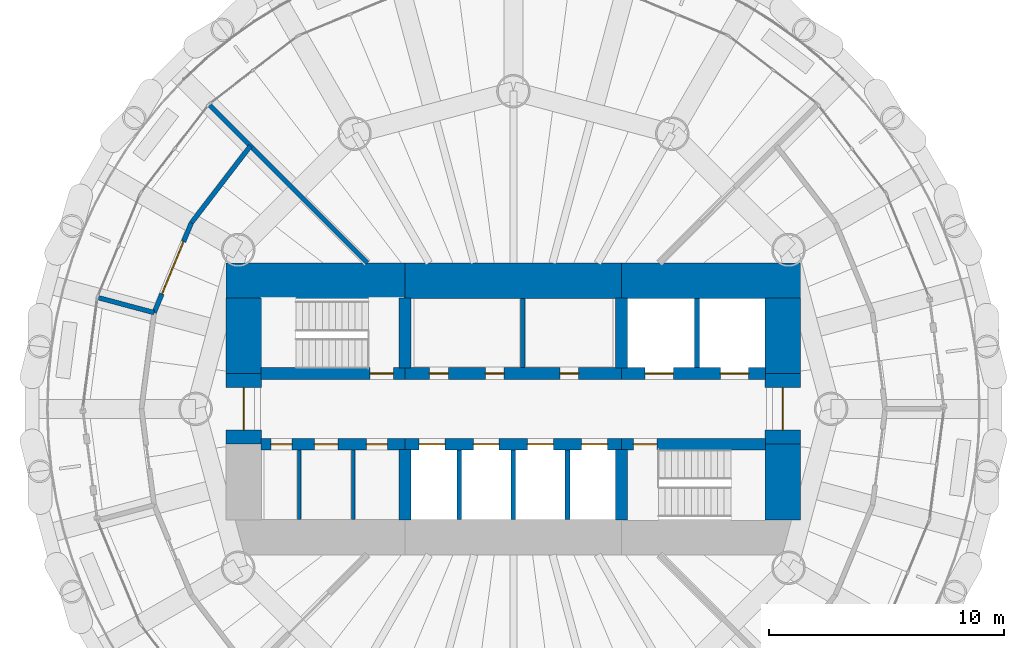
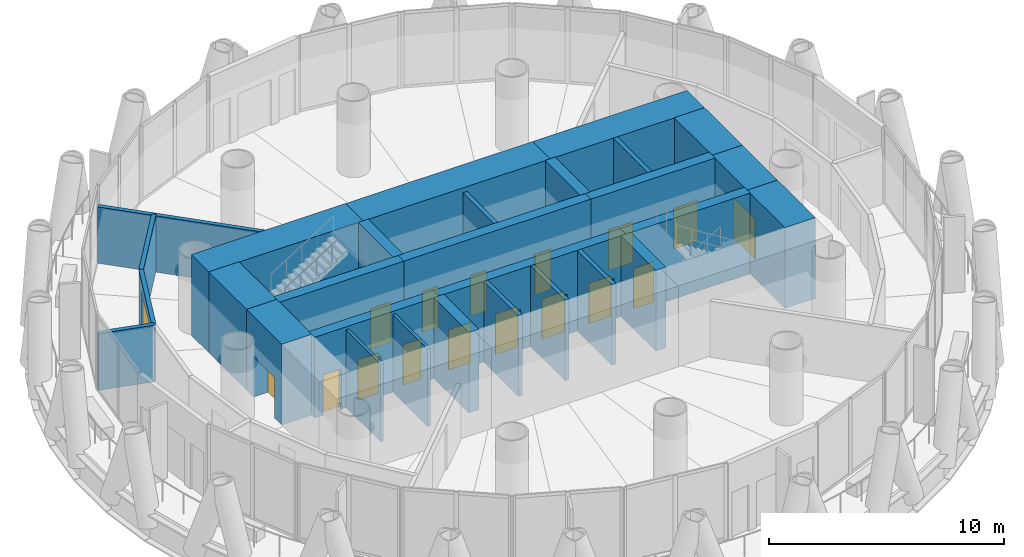
# One storey, part 9 of 13: 29 walls, 17 doors, 17 openings.
"""IFC4 building model written with IfcOpenShell, lengths in metres."""

from ifc_helpers import new_model, si_unit, direction, frame, frame_2d, origin, place, context, subcontext, project, spatial, rectangle, extrude, material, layer, layer_set, type_object, element, fill, save


model = new_model("IFC4")

# Units and contexts
model_context = context("Model", 3, precision=1e-05, world=origin(), true_north=direction((0.0, 1.0)))
body_context = subcontext(model_context, "Body", "Model", "MODEL_VIEW")
ifc_project = project(units=[si_unit("LENGTHUNIT", "METRE"), si_unit("AREAUNIT", "SQUARE_METRE"), si_unit("VOLUMEUNIT", "CUBIC_METRE"), si_unit("PLANEANGLEUNIT", "RADIAN"), si_unit("MASSUNIT", "GRAM", prefix="KILO")], contexts=[model_context])

# Site, building, storey
site_placement = place(None, origin())
site = spatial("IfcSite", under=ifc_project, at=site_placement, CompositionType="ELEMENT")
building_placement = place(site_placement, origin())
building = spatial("IfcBuilding", under=site, at=building_placement, Name="Qaws Media Tower", CompositionType="ELEMENT")
storey_placement = place(building_placement, frame((0.0, 0.0, 282.199951171875)))
storey = spatial("IfcBuildingStorey", under=building, at=storey_placement, Name="L65", CompositionType="ELEMENT", Elevation=282.199951171875)

# Wall, opening, door
ifc_material_1 = material(Name="Concrete C60/75", Category="concrete")
ifc_layer_1 = layer(ifc_material_1, 0.5)
ifc_layer_set_1 = layer_set([ifc_layer_1], Name="Core inner wall 500")
wall_type_1 = type_object("IfcWallType", Name="Core inner wall 500", PredefinedType="SHEAR", material=ifc_layer_set_1)
wall_1_placement = place(storey_placement, frame((49.280029296875, 51.5, 0.0), z_axis=(0.0, 0.0, 1.0), x_axis=(1.0, 0.0, 0.0)))
wall_1 = element("IfcWall", 1, at=wall_1_placement, inside=storey, type_object=wall_type_1, Name="W347 SW12 core wall SPNW L65", PredefinedType="SHEAR", context=body_context, shape_type="SweptSolid", body=[
    extrude(rectangle(XDim=6.119873046875, YDim=0.5, at=frame_2d((3.06005859375, 0.0))), origin(), (0.0, 0.0, 1.0), 4.199951171875),
])
opening_1_placement = place(wall_1_placement, frame((4.6201171875, 0.0, 0.0)))
opening_1 = element("IfcOpeningElement", 2, at=opening_1_placement, cuts=wall_1, Name="Opening D1", PredefinedType="OPENING", context=body_context, shape_type="SweptSolid", body=[
    extrude(rectangle(XDim=1.0, YDim=2.10009765625, at=frame_2d((0.5, 1.050048828125))), frame((0.0, 0.260009765625, 0.0), z_axis=(0.0, -1.0, 0.0), x_axis=(1.0, 0.0, 0.0)), (0.0, 0.0, 1.0), 0.52001953125),
])
ifc_material_2 = material(Name="Steel, fire rated", Category="steel")
door_type_1 = type_object("IfcDoorType", Name="Stair door 1000 FD120", OperationType="SINGLE_SWING_LEFT", PredefinedType="DOOR", material=ifc_material_2)
door_1_placement = place(opening_1_placement, origin())
door_1 = element("IfcDoor", 3, at=door_1_placement, inside=storey, type_object=door_type_1, Name="D1 stair S1 door L65 in wall W347", OperationType="SINGLE_SWING_LEFT", OverallHeight=2.10009765625, OverallWidth=1.0, PredefinedType="DOOR", context=body_context, shape_type="SweptSolid", body=[
    extrude(rectangle(XDim=1.0, YDim=2.10009765625, at=frame_2d((0.5, 1.050048828125))), frame((0.0, 0.02490234375, 0.0), z_axis=(0.0, -1.0, 0.0), x_axis=(1.0, 0.0, 0.0)), (0.0, 0.0, 1.0), 0.050048828125),
])
fill(opening_1, door_1)

# Wall, openings, doors
wall_2_placement = place(storey_placement, frame((55.39990234375, 51.5, 0.0), z_axis=(0.0, 0.0, 1.0), x_axis=(1.0, 0.0, 0.0)))
wall_2 = element("IfcWall", 4, at=wall_2_placement, inside=storey, type_object=wall_type_1, Name="W332 SW12 core wall SPN L65", PredefinedType="SHEAR", context=body_context, shape_type="SweptSolid", body=[
    extrude(rectangle(XDim=9.2001953125, YDim=0.5, at=frame_2d((4.60009765625, 0.0))), origin(), (0.0, 0.0, 1.0), 4.199951171875),
])
opening_2_placement = place(wall_2_placement, frame((1.036376953125, 0.0, 0.0)))
opening_2 = element("IfcOpeningElement", 5, at=opening_2_placement, cuts=wall_2, Name="Opening D23", PredefinedType="OPENING", context=body_context, shape_type="SweptSolid", body=[
    extrude(rectangle(XDim=0.800048828125, YDim=2.10009765625, at=frame_2d((0.39990234375, 1.050048828125))), frame((0.0, 0.260009765625, 0.0), z_axis=(0.0, -1.0, 0.0), x_axis=(1.0, 0.0, 0.0)), (0.0, 0.0, 1.0), 0.52001953125),
])
opening_3_placement = place(wall_2_placement, frame((3.4091796875, 0.0, 0.0)))
opening_3 = element("IfcOpeningElement", 6, at=opening_3_placement, cuts=wall_2, Name="Opening D23", PredefinedType="OPENING", context=body_context, shape_type="SweptSolid", body=[
    extrude(rectangle(XDim=0.800048828125, YDim=2.10009765625, at=frame_2d((0.39990234375, 1.050048828125))), frame((0.0, 0.260009765625, 0.0), z_axis=(0.0, -1.0, 0.0), x_axis=(1.0, 0.0, 0.0)), (0.0, 0.0, 1.0), 0.52001953125),
])
opening_4_placement = place(wall_2_placement, frame((6.57275390625, 0.0, 0.0)))
opening_4 = element("IfcOpeningElement", 7, at=opening_4_placement, cuts=wall_2, Name="Opening D23", PredefinedType="OPENING", context=body_context, shape_type="SweptSolid", body=[
    extrude(rectangle(XDim=0.800048828125, YDim=2.10009765625, at=frame_2d((0.39990234375, 1.050048828125))), frame((0.0, 0.260009765625, 0.0), z_axis=(0.0, -1.0, 0.0), x_axis=(1.0, 0.0, 0.0)), (0.0, 0.0, 1.0), 0.52001953125),
])
ifc_material_3 = material(Name="Steel, fire rated", Category="steel")
door_type_2 = type_object("IfcDoorType", Name="Core room door 800x2100", OperationType="SINGLE_SWING_LEFT", PredefinedType="DOOR", material=ifc_material_3)
door_2_placement = place(opening_2_placement, origin())
door_2 = element("IfcDoor", 8, at=door_2_placement, inside=storey, type_object=door_type_2, Name="D23 Ladies toilets door L65 1 in wall W332", OperationType="SINGLE_SWING_LEFT", OverallHeight=2.10009765625, OverallWidth=0.800048828125, PredefinedType="DOOR", context=body_context, shape_type="SweptSolid", body=[
    extrude(rectangle(XDim=0.800048828125, YDim=2.10009765625, at=frame_2d((0.39990234375, 1.050048828125))), frame((0.0, 0.02490234375, 0.0), z_axis=(0.0, -1.0, 0.0), x_axis=(1.0, 0.0, 0.0)), (0.0, 0.0, 1.0), 0.050048828125),
])
fill(opening_2, door_2)
door_3_placement = place(opening_3_placement, origin())
door_3 = element("IfcDoor", 9, at=door_3_placement, inside=storey, type_object=door_type_2, Name="D23 Ladies toilets door L65 2 in wall W332", OperationType="SINGLE_SWING_LEFT", OverallHeight=2.10009765625, OverallWidth=0.800048828125, PredefinedType="DOOR", context=body_context, shape_type="SweptSolid", body=[
    extrude(rectangle(XDim=0.800048828125, YDim=2.10009765625, at=frame_2d((0.39990234375, 1.050048828125))), frame((0.0, 0.02490234375, 0.0), z_axis=(0.0, -1.0, 0.0), x_axis=(1.0, 0.0, 0.0)), (0.0, 0.0, 1.0), 0.050048828125),
])
fill(opening_3, door_3)
door_4_placement = place(opening_4_placement, origin())
door_4 = element("IfcDoor", 10, at=door_4_placement, inside=storey, type_object=door_type_2, Name="D23 Gents toilets door L65 in wall W332", OperationType="SINGLE_SWING_LEFT", OverallHeight=2.10009765625, OverallWidth=0.800048828125, PredefinedType="DOOR", context=body_context, shape_type="SweptSolid", body=[
    extrude(rectangle(XDim=0.800048828125, YDim=2.10009765625, at=frame_2d((0.39990234375, 1.050048828125))), frame((0.0, 0.02490234375, 0.0), z_axis=(0.0, -1.0, 0.0), x_axis=(1.0, 0.0, 0.0)), (0.0, 0.0, 1.0), 0.050048828125),
])
fill(opening_4, door_4)

wall_3_placement = place(storey_placement, frame((64.60009765625, 51.5, 0.0), z_axis=(0.0, 0.0, 1.0), x_axis=(1.0, 0.0, 0.0)))
wall_3 = element("IfcWall", 11, at=wall_3_placement, inside=storey, type_object=wall_type_1, Name="W352 SW12 core wall SPNE L65", PredefinedType="SHEAR", context=body_context, shape_type="SweptSolid", body=[
    extrude(rectangle(XDim=6.119873046875, YDim=0.5, at=frame_2d((3.06005859375, 0.0))), origin(), (0.0, 0.0, 1.0), 4.199951171875),
])
opening_5_placement = place(wall_3_placement, frame((1.0, 0.0, 0.0)))
opening_5 = element("IfcOpeningElement", 12, at=opening_5_placement, cuts=wall_3, Name="Opening LD2", PredefinedType="OPENING", context=body_context, shape_type="SweptSolid", body=[
    extrude(rectangle(XDim=1.199951171875, YDim=2.10009765625, at=frame_2d((0.60009765625, 1.050048828125))), frame((0.0, 0.260009765625, 0.0), z_axis=(0.0, -1.0, 0.0), x_axis=(1.0, 0.0, 0.0)), (0.0, 0.0, 1.0), 0.52001953125),
])
opening_6_placement = place(wall_3_placement, frame((4.199951171875, 0.0, 0.0)))
opening_6 = element("IfcOpeningElement", 13, at=opening_6_placement, cuts=wall_3, Name="Opening LD2", PredefinedType="OPENING", context=body_context, shape_type="SweptSolid", body=[
    extrude(rectangle(XDim=1.199951171875, YDim=2.10009765625, at=frame_2d((0.60009765625, 1.050048828125))), frame((0.0, 0.260009765625, 0.0), z_axis=(0.0, -1.0, 0.0), x_axis=(1.0, 0.0, 0.0)), (0.0, 0.0, 1.0), 0.52001953125),
])
ifc_material_4 = material(Name="Steel, fire rated", Category="steel")
door_type_3 = type_object("IfcDoorType", Name="Lift landing door 1200", OperationType="SLIDING_TO_LEFT", PredefinedType="DOOR", material=ifc_material_4)
door_5_placement = place(opening_5_placement, origin())
door_5 = element("IfcDoor", 14, at=door_5_placement, inside=storey, type_object=door_type_3, Name="FL1 landing door L65 in wall W352", OperationType="SLIDING_TO_LEFT", OverallHeight=2.10009765625, OverallWidth=1.199951171875, PredefinedType="DOOR", context=body_context, shape_type="SweptSolid", body=[
    extrude(rectangle(XDim=1.199951171875, YDim=2.10009765625, at=frame_2d((0.60009765625, 1.050048828125))), frame((0.0, 0.02490234375, 0.0), z_axis=(0.0, -1.0, 0.0), x_axis=(1.0, 0.0, 0.0)), (0.0, 0.0, 1.0), 0.050048828125),
])
fill(opening_5, door_5)
door_6_placement = place(opening_6_placement, origin())
door_6 = element("IfcDoor", 15, at=door_6_placement, inside=storey, type_object=door_type_3, Name="FL2 landing door L65 in wall W352", OperationType="SLIDING_TO_LEFT", OverallHeight=2.10009765625, OverallWidth=1.199951171875, PredefinedType="DOOR", context=body_context, shape_type="SweptSolid", body=[
    extrude(rectangle(XDim=1.199951171875, YDim=2.10009765625, at=frame_2d((0.60009765625, 1.050048828125))), frame((0.0, 0.02490234375, 0.0), z_axis=(0.0, -1.0, 0.0), x_axis=(1.0, 0.0, 0.0)), (0.0, 0.0, 1.0), 0.050048828125),
])
fill(opening_6, door_6)

wall_4_placement = place(storey_placement, frame((49.280029296875, 48.5, 0.0), z_axis=(0.0, 0.0, 1.0), x_axis=(1.0, 0.0, 0.0)))
wall_4 = element("IfcWall", 16, at=wall_4_placement, inside=storey, type_object=wall_type_1, Name="W346 SW12 core wall SPSW L65", PredefinedType="SHEAR", context=body_context, shape_type="SweptSolid", body=[
    extrude(rectangle(XDim=6.119873046875, YDim=0.5, at=frame_2d((3.06005859375, 0.0))), origin(), (0.0, 0.0, 1.0), 4.199951171875),
])
opening_7_placement = place(wall_4_placement, frame((0.419921875, 0.0, 0.0)))
opening_7 = element("IfcOpeningElement", 17, at=opening_7_placement, cuts=wall_4, Name="Opening D25", PredefinedType="OPENING", context=body_context, shape_type="SweptSolid", body=[
    extrude(rectangle(XDim=0.89990234375, YDim=2.10009765625, at=frame_2d((0.449951171875, 1.050048828125))), frame((0.0, 0.260009765625, 0.0), z_axis=(0.0, -1.0, 0.0), x_axis=(1.0, 0.0, 0.0)), (0.0, 0.0, 1.0), 0.52001953125),
])
opening_8_placement = place(wall_4_placement, frame((2.27001953125, 0.0, 0.0)))
opening_8 = element("IfcOpeningElement", 18, at=opening_8_placement, cuts=wall_4, Name="Opening D4", PredefinedType="OPENING", context=body_context, shape_type="SweptSolid", body=[
    extrude(rectangle(XDim=1.0, YDim=2.10009765625, at=frame_2d((0.5, 1.050048828125))), frame((0.0, 0.260009765625, 0.0), z_axis=(0.0, -1.0, 0.0), x_axis=(1.0, 0.0, 0.0)), (0.0, 0.0, 1.0), 0.52001953125),
])
opening_9_placement = place(wall_4_placement, frame((4.469970703125, 0.0, 0.0)))
opening_9 = element("IfcOpeningElement", 19, at=opening_9_placement, cuts=wall_4, Name="Opening D25", PredefinedType="OPENING", context=body_context, shape_type="SweptSolid", body=[
    extrude(rectangle(XDim=0.89990234375, YDim=2.10009765625, at=frame_2d((0.449951171875, 1.050048828125))), frame((0.0, 0.260009765625, 0.0), z_axis=(0.0, -1.0, 0.0), x_axis=(1.0, 0.0, 0.0)), (0.0, 0.0, 1.0), 0.52001953125),
])
ifc_material_5 = material(Name="Timber veneered", Category="wood")
door_type_4 = type_object("IfcDoorType", Name="Accessible WC door 1000", OperationType="SLIDING_TO_LEFT", PredefinedType="DOOR", material=ifc_material_5)
door_7_placement = place(opening_8_placement, origin())
door_7 = element("IfcDoor", 20, at=door_7_placement, inside=storey, type_object=door_type_4, Name="D4 toilet door 2 L65 in wall W346", OperationType="SLIDING_TO_LEFT", OverallHeight=2.10009765625, OverallWidth=1.0, PredefinedType="DOOR", context=body_context, shape_type="SweptSolid", body=[
    extrude(rectangle(XDim=1.0, YDim=2.10009765625, at=frame_2d((0.5, 1.050048828125))), frame((0.0, 0.02490234375, 0.0), z_axis=(0.0, -1.0, 0.0), x_axis=(1.0, 0.0, 0.0)), (0.0, 0.0, 1.0), 0.050048828125),
])
fill(opening_8, door_7)
ifc_material_6 = material(Name="Steel, fire rated", Category="steel")
door_type_5 = type_object("IfcDoorType", Name="Core service door 900", OperationType="SINGLE_SWING_RIGHT", PredefinedType="DOOR", material=ifc_material_6)
door_8_placement = place(opening_7_placement, origin())
door_8 = element("IfcDoor", 21, at=door_8_placement, inside=storey, type_object=door_type_5, Name="D25 toilet door 1 L65 in wall W346", OperationType="SINGLE_SWING_RIGHT", OverallHeight=2.10009765625, OverallWidth=0.89990234375, PredefinedType="DOOR", context=body_context, shape_type="SweptSolid", body=[
    extrude(rectangle(XDim=0.89990234375, YDim=2.10009765625, at=frame_2d((0.449951171875, 1.050048828125))), frame((0.0, 0.02490234375, 0.0), z_axis=(0.0, -1.0, 0.0), x_axis=(1.0, 0.0, 0.0)), (0.0, 0.0, 1.0), 0.050048828125),
])
fill(opening_7, door_8)
door_9_placement = place(opening_9_placement, origin())
door_9 = element("IfcDoor", 22, at=door_9_placement, inside=storey, type_object=door_type_5, Name="D25 toilet door 3 L65 in wall W346", OperationType="SINGLE_SWING_RIGHT", OverallHeight=2.10009765625, OverallWidth=0.89990234375, PredefinedType="DOOR", context=body_context, shape_type="SweptSolid", body=[
    extrude(rectangle(XDim=0.89990234375, YDim=2.10009765625, at=frame_2d((0.449951171875, 1.050048828125))), frame((0.0, 0.02490234375, 0.0), z_axis=(0.0, -1.0, 0.0), x_axis=(1.0, 0.0, 0.0)), (0.0, 0.0, 1.0), 0.050048828125),
])
fill(opening_9, door_9)

wall_5_placement = place(storey_placement, frame((55.39990234375, 48.5, 0.0), z_axis=(0.0, 0.0, 1.0), x_axis=(1.0, 0.0, 0.0)))
wall_5 = element("IfcWall", 23, at=wall_5_placement, inside=storey, type_object=wall_type_1, Name="W331 SW12 core wall SPS L65", PredefinedType="SHEAR", context=body_context, shape_type="SweptSolid", body=[
    extrude(rectangle(XDim=9.2001953125, YDim=0.5, at=frame_2d((4.60009765625, 0.0))), origin(), (0.0, 0.0, 1.0), 4.199951171875),
])
opening_10_placement = place(wall_5_placement, frame((0.60009765625, 0.0, 0.0)))
opening_10 = element("IfcOpeningElement", 24, at=opening_10_placement, cuts=wall_5, Name="Opening LD", PredefinedType="OPENING", context=body_context, shape_type="SweptSolid", body=[
    extrude(rectangle(XDim=1.10009765625, YDim=2.10009765625, at=frame_2d((0.550048828125, 1.050048828125))), frame((0.0, 0.260009765625, 0.0), z_axis=(0.0, -1.0, 0.0), x_axis=(1.0, 0.0, 0.0)), (0.0, 0.0, 1.0), 0.52001953125),
])
opening_11_placement = place(wall_5_placement, frame((2.89990234375, 0.0, 0.0)))
opening_11 = element("IfcOpeningElement", 25, at=opening_11_placement, cuts=wall_5, Name="Opening LD", PredefinedType="OPENING", context=body_context, shape_type="SweptSolid", body=[
    extrude(rectangle(XDim=1.10009765625, YDim=2.10009765625, at=frame_2d((0.550048828125, 1.050048828125))), frame((0.0, 0.260009765625, 0.0), z_axis=(0.0, -1.0, 0.0), x_axis=(1.0, 0.0, 0.0)), (0.0, 0.0, 1.0), 0.52001953125),
])
opening_12_placement = place(wall_5_placement, frame((5.199951171875, 0.0, 0.0)))
opening_12 = element("IfcOpeningElement", 26, at=opening_12_placement, cuts=wall_5, Name="Opening LD", PredefinedType="OPENING", context=body_context, shape_type="SweptSolid", body=[
    extrude(rectangle(XDim=1.10009765625, YDim=2.10009765625, at=frame_2d((0.550048828125, 1.050048828125))), frame((0.0, 0.260009765625, 0.0), z_axis=(0.0, -1.0, 0.0), x_axis=(1.0, 0.0, 0.0)), (0.0, 0.0, 1.0), 0.52001953125),
])
opening_13_placement = place(wall_5_placement, frame((7.5, 0.0, 0.0)))
opening_13 = element("IfcOpeningElement", 27, at=opening_13_placement, cuts=wall_5, Name="Opening LD", PredefinedType="OPENING", context=body_context, shape_type="SweptSolid", body=[
    extrude(rectangle(XDim=1.10009765625, YDim=2.10009765625, at=frame_2d((0.550048828125, 1.050048828125))), frame((0.0, 0.260009765625, 0.0), z_axis=(0.0, -1.0, 0.0), x_axis=(1.0, 0.0, 0.0)), (0.0, 0.0, 1.0), 0.52001953125),
])
ifc_material_7 = material(Name="Steel, fire rated", Category="steel")
door_type_6 = type_object("IfcDoorType", Name="Lift landing door 1100", OperationType="SLIDING_TO_LEFT", PredefinedType="DOOR", material=ifc_material_7)
door_10_placement = place(opening_10_placement, origin())
door_10 = element("IfcDoor", 28, at=door_10_placement, inside=storey, type_object=door_type_6, Name="P5 landing door L65 in wall W331", OperationType="SLIDING_TO_LEFT", OverallHeight=2.10009765625, OverallWidth=1.10009765625, PredefinedType="DOOR", context=body_context, shape_type="SweptSolid", body=[
    extrude(rectangle(XDim=1.10009765625, YDim=2.10009765625, at=frame_2d((0.550048828125, 1.050048828125))), frame((0.0, 0.02490234375, 0.0), z_axis=(0.0, -1.0, 0.0), x_axis=(1.0, 0.0, 0.0)), (0.0, 0.0, 1.0), 0.050048828125),
])
fill(opening_10, door_10)
door_11_placement = place(opening_11_placement, origin())
door_11 = element("IfcDoor", 29, at=door_11_placement, inside=storey, type_object=door_type_6, Name="P6 landing door L65 in wall W331", OperationType="SLIDING_TO_LEFT", OverallHeight=2.10009765625, OverallWidth=1.10009765625, PredefinedType="DOOR", context=body_context, shape_type="SweptSolid", body=[
    extrude(rectangle(XDim=1.10009765625, YDim=2.10009765625, at=frame_2d((0.550048828125, 1.050048828125))), frame((0.0, 0.02490234375, 0.0), z_axis=(0.0, -1.0, 0.0), x_axis=(1.0, 0.0, 0.0)), (0.0, 0.0, 1.0), 0.050048828125),
])
fill(opening_11, door_11)
door_12_placement = place(opening_12_placement, origin())
door_12 = element("IfcDoor", 30, at=door_12_placement, inside=storey, type_object=door_type_6, Name="P7 landing door L65 in wall W331", OperationType="SLIDING_TO_LEFT", OverallHeight=2.10009765625, OverallWidth=1.10009765625, PredefinedType="DOOR", context=body_context, shape_type="SweptSolid", body=[
    extrude(rectangle(XDim=1.10009765625, YDim=2.10009765625, at=frame_2d((0.550048828125, 1.050048828125))), frame((0.0, 0.02490234375, 0.0), z_axis=(0.0, -1.0, 0.0), x_axis=(1.0, 0.0, 0.0)), (0.0, 0.0, 1.0), 0.050048828125),
])
fill(opening_12, door_12)
door_13_placement = place(opening_13_placement, origin())
door_13 = element("IfcDoor", 31, at=door_13_placement, inside=storey, type_object=door_type_6, Name="P8 landing door L65 in wall W331", OperationType="SLIDING_TO_LEFT", OverallHeight=2.10009765625, OverallWidth=1.10009765625, PredefinedType="DOOR", context=body_context, shape_type="SweptSolid", body=[
    extrude(rectangle(XDim=1.10009765625, YDim=2.10009765625, at=frame_2d((0.550048828125, 1.050048828125))), frame((0.0, 0.02490234375, 0.0), z_axis=(0.0, -1.0, 0.0), x_axis=(1.0, 0.0, 0.0)), (0.0, 0.0, 1.0), 0.050048828125),
])
fill(opening_13, door_13)

# Wall, opening, door
wall_6_placement = place(storey_placement, frame((64.60009765625, 48.5, 0.0), z_axis=(0.0, 0.0, 1.0), x_axis=(1.0, 0.0, 0.0)))
wall_6 = element("IfcWall", 32, at=wall_6_placement, inside=storey, type_object=wall_type_1, Name="W351 SW12 core wall SPSE L65", PredefinedType="SHEAR", context=body_context, shape_type="SweptSolid", body=[
    extrude(rectangle(XDim=6.119873046875, YDim=0.5, at=frame_2d((3.06005859375, 0.0))), origin(), (0.0, 0.0, 1.0), 4.199951171875),
])
opening_14_placement = place(wall_6_placement, frame((0.5, 0.0, 0.0)))
opening_14 = element("IfcOpeningElement", 33, at=opening_14_placement, cuts=wall_6, Name="Opening D1", PredefinedType="OPENING", context=body_context, shape_type="SweptSolid", body=[
    extrude(rectangle(XDim=1.0, YDim=2.10009765625, at=frame_2d((0.5, 1.050048828125))), frame((0.0, 0.260009765625, 0.0), z_axis=(0.0, -1.0, 0.0), x_axis=(1.0, 0.0, 0.0)), (0.0, 0.0, 1.0), 0.52001953125),
])
door_14_placement = place(opening_14_placement, origin())
door_14 = element("IfcDoor", 34, at=door_14_placement, inside=storey, type_object=door_type_1, Name="D1 stair S2 door L65 in wall W351", OperationType="SINGLE_SWING_LEFT", OverallHeight=2.10009765625, OverallWidth=1.0, PredefinedType="DOOR", context=body_context, shape_type="SweptSolid", body=[
    extrude(rectangle(XDim=1.0, YDim=2.10009765625, at=frame_2d((0.5, 1.050048828125))), frame((0.0, 0.02490234375, 0.0), z_axis=(0.0, -1.0, 0.0), x_axis=(1.0, 0.0, 0.0)), (0.0, 0.0, 1.0), 0.050048828125),
])
fill(opening_14, door_14)

# Walls
for number, where, z_axis, x_axis, name in (
    (35, (55.39990234375, 51.72998046875, 0.0), (0.0, 0.0, 1.0), (0.0, 1.0, 0.0), "W349 SW12 core wall XNW L65"),
    (36, (64.60009765625, 51.72998046875, 0.0), (0.0, 0.0, 1.0), (0.0, 1.0, 0.0), "W353 SW12 core wall XNE L65"),
    (37, (55.39990234375, 48.27001953125, 0.0), (0.0, 0.0, 1.0), (0.0, -1.0, 0.0), "W348 SW12 core wall XSW L65"),
    (38, (64.60009765625, 48.27001953125, 0.0), (0.0, 0.0, 1.0), (0.0, -1.0, 0.0), "W350 SW12 core wall XSE L65"),
):
    element("IfcWall", number, at=place(storey_placement, frame(where, z_axis=z_axis, x_axis=x_axis)), inside=storey, type_object=wall_type_1, Name=name, PredefinedType="SHEAR", context=body_context, shape_type="SweptSolid", body=[
        extrude(rectangle(XDim=2.989990234375, YDim=0.5, at=frame_2d((1.4951171875, 0.0))), origin(), (0.0, 0.0, 1.0), 4.199951171875),
    ])
ifc_material_8 = material(Name="Concrete C60/75", Category="concrete")
ifc_layer_2 = layer(ifc_material_8, 1.5)
ifc_layer_set_2 = layer_set([ifc_layer_2], Name="Core wall 1500")
wall_type_2 = type_object("IfcWallType", Name="Core wall 1500", PredefinedType="SHEAR", material=ifc_layer_set_2)
wall_7_placement = place(storey_placement, frame((47.800048828125, 55.449951171875, 0.0), z_axis=(0.0, 0.0, 1.0), x_axis=(1.0, 0.0, 0.0)))
element("IfcWall", 39, at=wall_7_placement, inside=storey, type_object=wall_type_2, Name="W377 SW13 core wall NW L65", PredefinedType="SHEAR", context=body_context, shape_type="SweptSolid", body=[
    extrude(rectangle(XDim=7.599853515625, YDim=1.5, at=frame_2d((3.7998046875, 0.0))), origin(), (0.0, 0.0, 1.0), 4.199951171875),
])
wall_8_placement = place(storey_placement, frame((55.39990234375, 55.449951171875, 0.0), z_axis=(0.0, 0.0, 1.0), x_axis=(1.0, 0.0, 0.0)))
element("IfcWall", 40, at=wall_8_placement, inside=storey, type_object=wall_type_2, Name="W373 SW13 core wall N L65", PredefinedType="SHEAR", context=body_context, shape_type="SweptSolid", body=[
    extrude(rectangle(XDim=9.2001953125, YDim=1.5, at=frame_2d((4.60009765625, 0.0))), origin(), (0.0, 0.0, 1.0), 4.199951171875),
])
wall_9_placement = place(storey_placement, frame((64.60009765625, 55.449951171875, 0.0), z_axis=(0.0, 0.0, 1.0), x_axis=(1.0, 0.0, 0.0)))
element("IfcWall", 41, at=wall_9_placement, inside=storey, type_object=wall_type_2, Name="W382 SW13 core wall NE L65", PredefinedType="SHEAR", context=body_context, shape_type="SweptSolid", body=[
    extrude(rectangle(XDim=7.599853515625, YDim=1.5, at=frame_2d((3.7998046875, 0.0))), origin(), (0.0, 0.0, 1.0), 4.199951171875),
])
wall_10_placement = place(storey_placement, frame((71.449951171875, 45.280029296875, 0.0), z_axis=(0.0, 0.0, 1.0), x_axis=(0.0, 1.0, 0.0)))
element("IfcWall", 42, at=wall_10_placement, inside=storey, type_object=wall_type_2, Name="W383 SW13 core wall ES L65", PredefinedType="SHEAR", context=body_context, shape_type="SweptSolid", body=[
    extrude(rectangle(XDim=3.219970703125, YDim=1.5, at=frame_2d((1.60986328125, 0.0))), origin(), (0.0, 0.0, 1.0), 4.199951171875),
])

# Wall, opening, door
wall_11_placement = place(storey_placement, frame((71.449951171875, 48.5, 0.0), z_axis=(0.0, 0.0, 1.0), x_axis=(0.0, 1.0, 0.0)))
wall_11 = element("IfcWall", 43, at=wall_11_placement, inside=storey, type_object=wall_type_2, Name="W384 SW13 core wall E L65", PredefinedType="SHEAR", context=body_context, shape_type="SweptSolid", body=[
    extrude(rectangle(XDim=3.0, YDim=1.5, at=frame_2d((1.5, 0.0))), origin(), (0.0, 0.0, 1.0), 4.199951171875),
])
opening_15_placement = place(wall_11_placement, frame((0.60009765625, 0.0, 0.0)))
opening_15 = element("IfcOpeningElement", 44, at=opening_15_placement, cuts=wall_11, Name="Opening D2", PredefinedType="OPENING", context=body_context, shape_type="SweptSolid", body=[
    extrude(rectangle(XDim=1.800048828125, YDim=2.10009765625, at=frame_2d((0.89990234375, 1.050048828125))), frame((0.0, 0.760009765625, 0.0), z_axis=(0.0, -1.0, 0.0), x_axis=(1.0, 0.0, 0.0)), (0.0, 0.0, 1.0), 1.52001953125),
])
ifc_material_9 = material(Name="Steel and glass, fire rated", Category="steel")
door_type_7 = type_object("IfcDoorType", Name="Lobby door pair 1800 FD60", OperationType="DOUBLE_DOOR_DOUBLE_SWING", PredefinedType="DOOR", material=ifc_material_9)
door_15_placement = place(opening_15_placement, origin())
door_15 = element("IfcDoor", 45, at=door_15_placement, inside=storey, type_object=door_type_7, Name="D2 core lobby door E L65 in wall W384", OperationType="DOUBLE_DOOR_DOUBLE_SWING", OverallHeight=2.10009765625, OverallWidth=1.800048828125, PredefinedType="DOOR", context=body_context, shape_type="SweptSolid", body=[
    extrude(rectangle(XDim=1.800048828125, YDim=2.10009765625, at=frame_2d((0.89990234375, 1.050048828125))), frame((0.0, 0.02490234375, 0.0), z_axis=(0.0, -1.0, 0.0), x_axis=(1.0, 0.0, 0.0)), (0.0, 0.0, 1.0), 0.050048828125),
])
fill(opening_15, door_15)

# Wall
wall_12_placement = place(storey_placement, frame((71.449951171875, 51.5, 0.0), z_axis=(0.0, 0.0, 1.0), x_axis=(0.0, 1.0, 0.0)))
element("IfcWall", 46, at=wall_12_placement, inside=storey, type_object=wall_type_2, Name="W385 SW13 core wall EN L65", PredefinedType="SHEAR", context=body_context, shape_type="SweptSolid", body=[
    extrude(rectangle(XDim=3.219970703125, YDim=1.5, at=frame_2d((1.60986328125, 0.0))), origin(), (0.0, 0.0, 1.0), 4.199951171875),
])

# Wall, opening, door
wall_13_placement = place(storey_placement, frame((48.550048828125, 48.5, 0.0), z_axis=(0.0, 0.0, 1.0), x_axis=(0.0, 1.0, 0.0)))
wall_13 = element("IfcWall", 47, at=wall_13_placement, inside=storey, type_object=wall_type_2, Name="W379 SW13 core wall W L65", PredefinedType="SHEAR", context=body_context, shape_type="SweptSolid", body=[
    extrude(rectangle(XDim=3.0, YDim=1.5, at=frame_2d((1.5, 0.0))), origin(), (0.0, 0.0, 1.0), 4.199951171875),
])
opening_16_placement = place(wall_13_placement, frame((0.60009765625, 0.0, 0.0)))
opening_16 = element("IfcOpeningElement", 48, at=opening_16_placement, cuts=wall_13, Name="Opening D2", PredefinedType="OPENING", context=body_context, shape_type="SweptSolid", body=[
    extrude(rectangle(XDim=1.800048828125, YDim=2.10009765625, at=frame_2d((0.89990234375, 1.050048828125))), frame((0.0, 0.760009765625, 0.0), z_axis=(0.0, -1.0, 0.0), x_axis=(1.0, 0.0, 0.0)), (0.0, 0.0, 1.0), 1.52001953125),
])
door_16_placement = place(opening_16_placement, origin())
door_16 = element("IfcDoor", 49, at=door_16_placement, inside=storey, type_object=door_type_7, Name="D2 core lobby door W L65 in wall W379", OperationType="DOUBLE_DOOR_DOUBLE_SWING", OverallHeight=2.10009765625, OverallWidth=1.800048828125, PredefinedType="DOOR", context=body_context, shape_type="SweptSolid", body=[
    extrude(rectangle(XDim=1.800048828125, YDim=2.10009765625, at=frame_2d((0.89990234375, 1.050048828125))), frame((0.0, 0.02490234375, 0.0), z_axis=(0.0, -1.0, 0.0), x_axis=(1.0, 0.0, 0.0)), (0.0, 0.0, 1.0), 0.050048828125),
])
fill(opening_16, door_16)

# Wall
wall_14_placement = place(storey_placement, frame((48.550048828125, 51.5, 0.0), z_axis=(0.0, 0.0, 1.0), x_axis=(0.0, 1.0, 0.0)))
element("IfcWall", 50, at=wall_14_placement, inside=storey, type_object=wall_type_2, Name="W380 SW13 core wall WN L65", PredefinedType="SHEAR", context=body_context, shape_type="SweptSolid", body=[
    extrude(rectangle(XDim=3.219970703125, YDim=1.5, at=frame_2d((1.60986328125, 0.0))), origin(), (0.0, 0.0, 1.0), 4.199951171875),
])

# Wall, opening, door
ifc_material_10 = material(Name="Gypsum board on galvanised metal studs, acoustic double stud, deflection head", Category="gypsum")
ifc_layer_3 = layer(ifc_material_10, 0.199951171875)
ifc_layer_set_3 = layer_set([ifc_layer_3], Name="Room partition 200")
wall_type_3 = type_object("IfcWallType", Name="Room partition 200", PredefinedType="PARTITIONING", material=ifc_layer_set_3)
wall_15_placement = place(storey_placement, frame((44.73828125, 54.08935546875, 0.0), z_axis=(0.0, 0.0, 1.0), x_axis=(0.382731667114, 0.923859551549, 0.0)))
wall_15 = element("IfcWall", 51, at=wall_15_placement, inside=storey, type_object=wall_type_3, Name="W1787 IW3 partition L65", PredefinedType="PARTITIONING", context=body_context, shape_type="SweptSolid", body=[
    extrude(rectangle(XDim=4.12451171875, YDim=0.199951171875, at=frame_2d((2.062255859375, 0.0))), origin(), (0.0, 0.0, 1.0), 2.929931640625),
])
opening_17_placement = place(wall_15_placement, frame((0.8623046875, 0.0, 0.0)))
opening_17 = element("IfcOpeningElement", 52, at=opening_17_placement, cuts=wall_15, Name="Opening D17", PredefinedType="OPENING", context=body_context, shape_type="SweptSolid", body=[
    extrude(rectangle(XDim=2.39990234375, YDim=2.39990234375, at=frame_2d((1.199951171875, 1.199951171875))), frame((0.0, 0.10986328125, 0.0), z_axis=(0.0, -1.0, 0.0), x_axis=(1.0, 0.0, 0.0)), (0.0, 0.0, 1.0), 0.219970703125),
])
ifc_material_11 = material(Name="Timber veneered, panic hardware", Category="wood")
door_type_8 = type_object("IfcDoorType", Name="Assembly room door pair 2400x2400", OperationType="DOUBLE_DOOR_DOUBLE_SWING", PredefinedType="DOOR", material=ifc_material_11)
door_17_placement = place(opening_17_placement, origin())
door_17 = element("IfcDoor", 53, at=door_17_placement, inside=storey, type_object=door_type_8, Name="D17 Private dining room door L65 in wall W1787", OperationType="DOUBLE_DOOR_DOUBLE_SWING", OverallHeight=2.39990234375, OverallWidth=2.39990234375, PredefinedType="DOOR", context=body_context, shape_type="SweptSolid", body=[
    extrude(rectangle(XDim=2.39990234375, YDim=2.39990234375, at=frame_2d((1.199951171875, 1.199951171875))), frame((0.0, 0.02490234375, 0.0), z_axis=(0.0, -1.0, 0.0), x_axis=(1.0, 0.0, 0.0)), (0.0, 0.0, 1.0), 0.050048828125),
])
fill(opening_17, door_17)

# Walls
wall_16_placement = place(storey_placement, frame((46.31689453125, 57.89990234375, 0.0), z_axis=(0.0, 0.0, 1.0), x_axis=(0.608714823874, 0.793389099494, 0.0)))
element("IfcWall", 54, at=wall_16_placement, inside=storey, type_object=wall_type_3, Name="W1789 IW3 partition L65", PredefinedType="PARTITIONING", context=body_context, shape_type="SweptSolid", body=[
    extrude(rectangle(XDim=4.124755859375, YDim=0.199951171875, at=frame_2d((2.0625, 0.0))), origin(), (0.0, 0.0, 1.0), 2.929931640625),
])
wall_17_placement = place(storey_placement, frame((53.800048828125, 56.199951171875, 0.0), z_axis=(0.0, 0.0, 1.0), x_axis=(-0.707106781187, 0.707106781187, 0.0)))
element("IfcWall", 55, at=wall_17_placement, inside=storey, type_object=wall_type_3, Name="W1792 IW3 partition L65", PredefinedType="PARTITIONING", context=body_context, shape_type="SweptSolid", body=[
    extrude(rectangle(XDim=9.4921875, YDim=0.199951171875, at=frame_2d((4.74609375, 0.0))), origin(), (0.0, 0.0, 1.0), 2.929931640625),
])
wall_18_placement = place(storey_placement, frame((44.73828125, 54.08935546875, 0.0), z_axis=(0.0, 0.0, 1.0), x_axis=(-0.96591792393, 0.258848535307, 0.0)))
element("IfcWall", 56, at=wall_18_placement, inside=storey, type_object=wall_type_3, Name="W1786 IW3 partition L65", PredefinedType="PARTITIONING", context=body_context, shape_type="SweptSolid", body=[
    extrude(rectangle(XDim=2.459716796875, YDim=0.199951171875, at=frame_2d((1.22998046875, 0.0))), origin(), (0.0, 0.0, 1.0), 2.949951171875),
])
wall_19_placement = place(storey_placement, frame((60.3955078125, 51.75, 0.0), z_axis=(0.0, 0.0, 1.0), x_axis=(0.0, 1.0, 0.0)))
element("IfcWall", 57, at=wall_19_placement, inside=storey, type_object=wall_type_3, Name="W1793 IW3 core room partition 1 L65", PredefinedType="PARTITIONING", context=body_context, shape_type="SweptSolid", body=[
    extrude(rectangle(XDim=2.949951171875, YDim=0.199951171875, at=frame_2d((1.47509765625, 0.0))), origin(), (0.0, 0.0, 1.0), 3.949951171875),
])
ifc_material_12 = material(Name="Fire-rated gypsum board shaft wall on galvanised metal studs, deflection head", Category="gypsum")
ifc_layer_4 = layer(ifc_material_12, 0.199951171875)
ifc_layer_set_4 = layer_set([ifc_layer_4], Name="Shaft wall 200")
wall_type_4 = type_object("IfcWallType", Name="Shaft wall 200", PredefinedType="PARTITIONING", material=ifc_layer_set_4)
for number, where, z_axis, x_axis, name in (
    (58, (57.699951171875, 45.300048828125, 0.0), (0.0, 0.0, 1.0), (0.0, 1.0, 0.0), "W1864 IW1 shaft wall S1 L65"),
    (59, (60.0, 45.300048828125, 0.0), (0.0, 0.0, 1.0), (0.0, 1.0, 0.0), "W1866 IW1 shaft wall S2 L65"),
    (60, (62.300048828125, 45.300048828125, 0.0), (0.0, 0.0, 1.0), (0.0, 1.0, 0.0), "W1868 IW1 shaft wall S3 L65"),
    (61, (67.800048828125, 51.75, 0.0), (0.0, 0.0, 1.0), (0.0, 1.0, 0.0), "W1870 IW1 shaft wall FL L65"),
):
    element("IfcWall", number, at=place(storey_placement, frame(where, z_axis=z_axis, x_axis=x_axis)), inside=storey, type_object=wall_type_4, Name=name, PredefinedType="PARTITIONING", context=body_context, shape_type="SweptSolid", body=[
        extrude(rectangle(XDim=2.949951171875, YDim=0.199951171875, at=frame_2d((1.47509765625, 0.0))), origin(), (0.0, 0.0, 1.0), 4.199951171875),
    ])
ifc_material_13 = material(Name="Gypsum board on galvanised metal studs, deflection head", Category="gypsum")
ifc_layer_5 = layer(ifc_material_13, 0.14990234375)
ifc_layer_set_5 = layer_set([ifc_layer_5], Name="WC partition 150")
wall_type_5 = type_object("IfcWallType", Name="WC partition 150", PredefinedType="PARTITIONING", material=ifc_layer_set_5)
for number, where, z_axis, x_axis, name in (
    (62, (50.89990234375, 45.300048828125, 0.0), (0.0, 0.0, 1.0), (0.0, 1.0, 0.0), "W1929 IW2 toilet partition 1 L65"),
    (63, (53.199951171875, 45.300048828125, 0.0), (0.0, 0.0, 1.0), (0.0, 1.0, 0.0), "W1920 IW2 toilet partition 2 L65"),
):
    element("IfcWall", number, at=place(storey_placement, frame(where, z_axis=z_axis, x_axis=x_axis)), inside=storey, type_object=wall_type_5, Name=name, PredefinedType="PARTITIONING", context=body_context, shape_type="SweptSolid", body=[
        extrude(rectangle(XDim=2.949951171875, YDim=0.14990234375, at=frame_2d((1.47509765625, 0.0))), origin(), (0.0, 0.0, 1.0), 4.0400390625),
    ])

save(model, "model.ifc")
